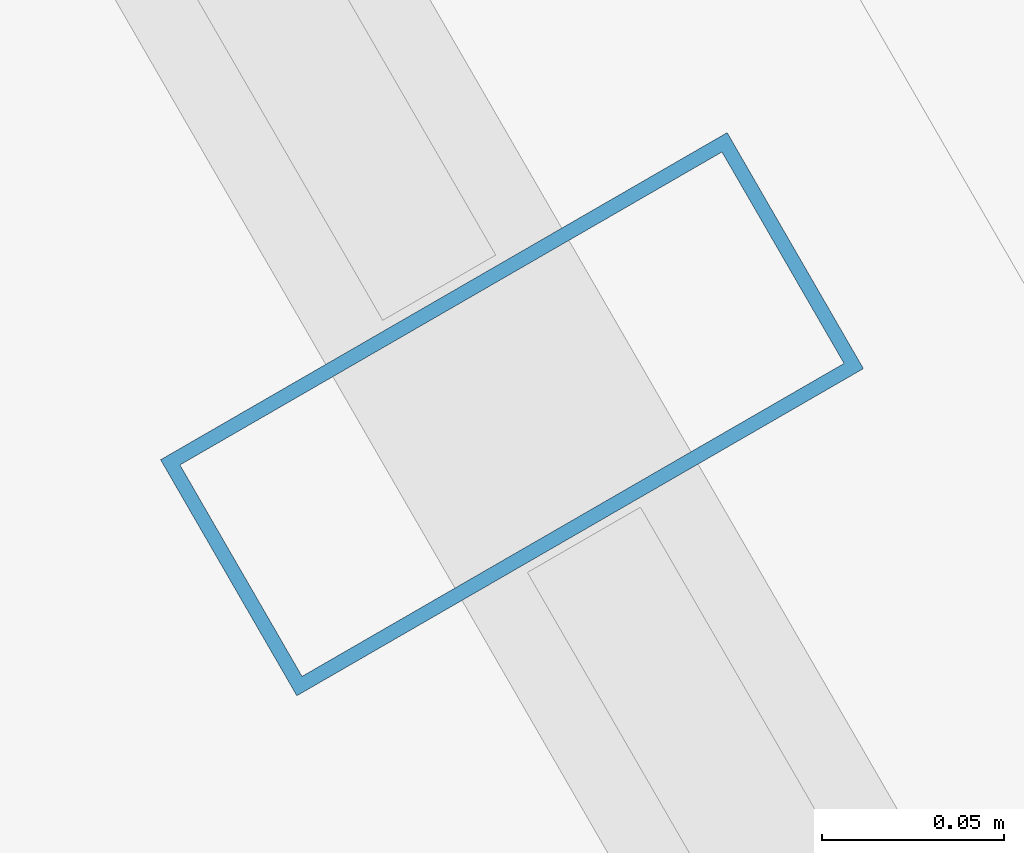
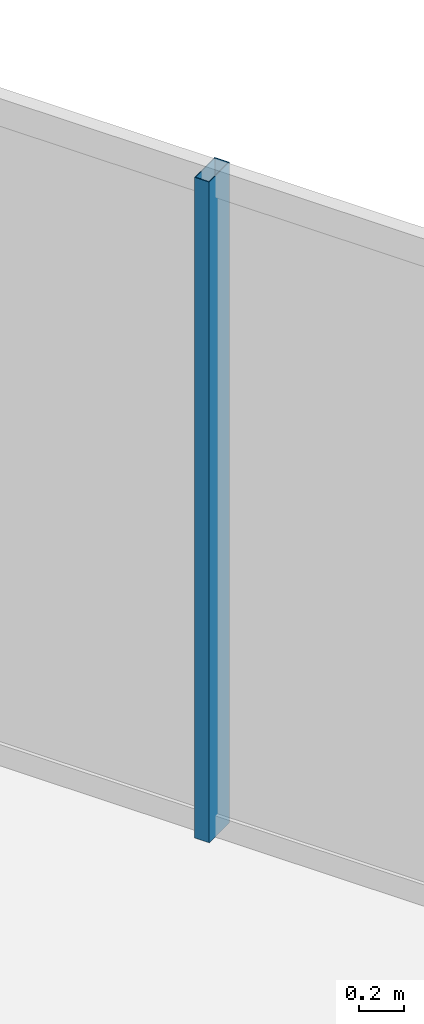
# One storey, part 20 of 33: 1 member, 1 element without a shape of its own.
"""IFC4 building model written with IfcOpenShell, lengths in metres."""

from ifc_helpers import new_model, si_unit, direction, frame, origin, origin_2d, place, context, subcontext, project, spatial, hollow_rectangle, extrude, material, layer, layer_set, material_profile, profile_set, type_object, element, aggregate, save


model = new_model("IFC4")

# Units and contexts
model_context = context("Model", 3, precision=1e-05, world=origin(), true_north=direction((0.0, 1.0)))
body_context = subcontext(model_context, "Body", "Model", "MODEL_VIEW")
ifc_project = project(units=[si_unit("LENGTHUNIT", "METRE"), si_unit("AREAUNIT", "SQUARE_METRE"), si_unit("VOLUMEUNIT", "CUBIC_METRE"), si_unit("PLANEANGLEUNIT", "RADIAN"), si_unit("MASSUNIT", "GRAM", prefix="KILO")], contexts=[model_context])

# Site, building, storey
site_placement = place(None, origin())
site = spatial("IfcSite", under=ifc_project, at=site_placement, CompositionType="ELEMENT")
building_placement = place(site_placement, origin())
building = spatial("IfcBuilding", under=site, at=building_placement, Name="Ndaravel Arena Tower", CompositionType="ELEMENT")
storey_placement = place(building_placement, frame((0.0, 0.0, 161.199951171875)))
storey = spatial("IfcBuildingStorey", under=building, at=storey_placement, Name="L38", CompositionType="ELEMENT", Elevation=161.199951171875)

# Curtain wall, member
ifc_material_1 = material(Name="Aluminium", Category="aluminium")
ifc_layer = layer(ifc_material_1, 0.179931640625)
ifc_layer_set = layer_set([ifc_layer], Name="Aluminium")
curtain_wall_type = type_object("IfcCurtainWallType", Name="CW-SYS-03", PredefinedType="NOTDEFINED", material=ifc_layer_set)
curtain_wall_placement = place(storey_placement, origin())
curtain_wall = element("IfcCurtainWall", 1, at=curtain_wall_placement, inside=storey, type_object=curtain_wall_type, Name="L38 Faceted Crystal Curtain Wall CW-L38-E03", PredefinedType="NOTDEFINED")
ifc_material_2 = material(Name="Aluminium", Category="aluminium")
ifc_material_profile = material_profile(ifc_material_2, hollow_rectangle(XDim=0.074951171875, YDim=0.179931640625, WallThickness=0.00390625, at=origin_2d()), Name="CW MULLION 75x180x4")
ifc_profile_set = profile_set([ifc_material_profile], Name="Aluminium")
member_type = type_object("IfcMemberType", Name="MEM-CW-MUL180", PredefinedType="MULLION", material=ifc_profile_set)
member_placement = place(storey_placement, frame((54.201416015625, 34.256591796875, 0.0), z_axis=(0.0, 0.0, 1.0), x_axis=(-0.5, 0.866025403784, 0.0)))
member = element("IfcMember", 2, at=member_placement, type_object=member_type, Name="CW-L38-E03 Mullion 05", PredefinedType="MULLION", context=body_context, shape_type="SweptSolid", body=[
    extrude(hollow_rectangle(XDim=0.074951171875, YDim=0.179931640625, WallThickness=0.00390625, at=origin_2d()), origin(), (0.0, 0.0, 1.0), 3.580078125),
])
aggregate(curtain_wall, [member])

save(model, "model.ifc")
